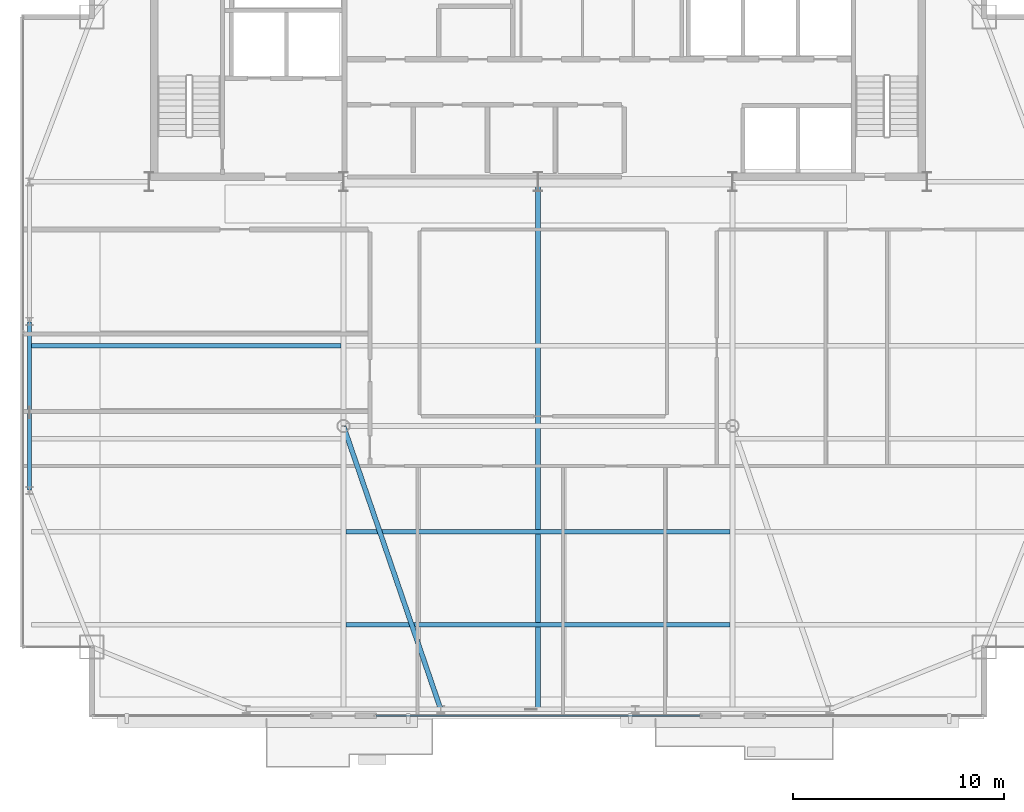
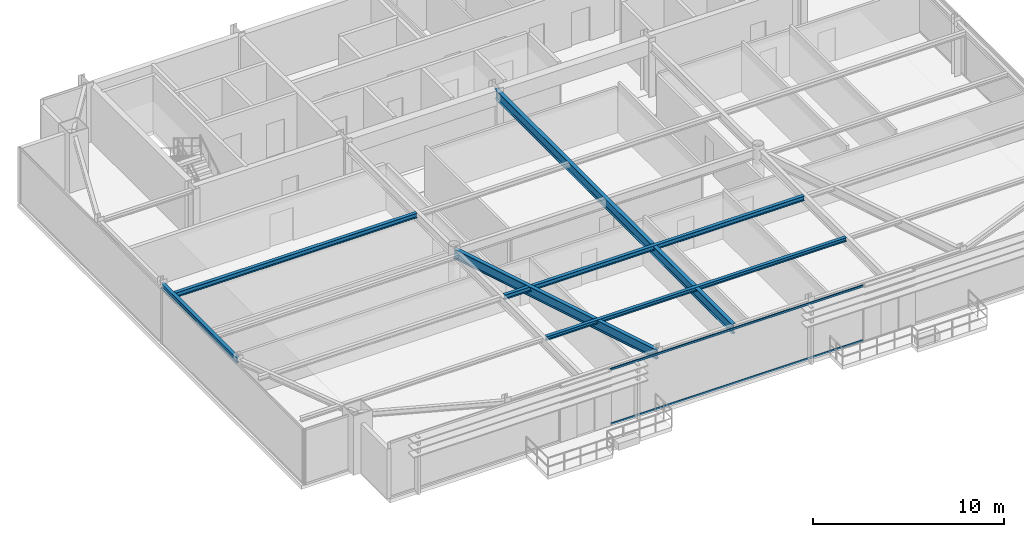
# One storey, part 9 of 30: 6 beams, 2 members, 1 element without a shape of its own.
"""IFC4 building model written with IfcOpenShell, lengths in metres."""

from ifc_helpers import new_model, si_unit, direction, frame, origin, origin_2d, place, context, subcontext, project, spatial, hollow_rectangle, i_section, extrude, source, transform, mapped, material, layer, layer_set, material_profile, profile_set, type_object, type_shapes, element, aggregate, save


model = new_model("IFC4")

# Units and contexts
model_context = context("Model", 3, precision=1e-05, world=origin(), true_north=direction((0.0, 1.0)))
body_context = subcontext(model_context, "Body", "Model", "MODEL_VIEW")
ifc_project = project(units=[si_unit("LENGTHUNIT", "METRE"), si_unit("AREAUNIT", "SQUARE_METRE"), si_unit("VOLUMEUNIT", "CUBIC_METRE"), si_unit("PLANEANGLEUNIT", "RADIAN"), si_unit("MASSUNIT", "GRAM", prefix="KILO")], contexts=[model_context])

# Site, building, storey
site_placement = place(None, origin())
site = spatial("IfcSite", under=ifc_project, at=site_placement, CompositionType="ELEMENT")
building_placement = place(site_placement, origin())
building = spatial("IfcBuilding", under=site, at=building_placement, Name="Varnel Quay Broadcast Tower", CompositionType="ELEMENT")
storey_placement = place(building_placement, frame((0.0, 0.0, 247.0)))
storey = spatial("IfcBuildingStorey", under=building, at=storey_placement, Name="L61", CompositionType="ELEMENT", Elevation=247.0)

# Beams
ifc_material_1 = material(Name="Structural Steel CSA G40.21 350W", Category="steel")
ifc_material_profile_1 = material_profile(ifc_material_1, i_section(OverallWidth=0.205078125, OverallDepth=0.35400390625, WebThickness=0.009521484375, FlangeThickness=0.016845703125, FilletRadius=0.012939453125, at=origin_2d()), Name="W360X79")
ifc_profile_set_1 = profile_set([ifc_material_profile_1], Name="Structural Steel CSA G40.21 350W")
beam_type_1 = type_object("IfcBeamType", Name="Beam_W360X79", PredefinedType="SPANDREL", material=ifc_profile_set_1)
shared_shape_1 = source(origin(), body_context, "Body", "SweptSolid", [
    extrude(i_section(OverallWidth=0.205078125, OverallDepth=0.35400390625, WebThickness=0.009521484375, FlangeThickness=0.016845703125, FilletRadius=0.012939453125, at=origin_2d()), origin(), (0.0, 0.0, 1.0), 7.9599609375),
])
type_shapes(beam_type_1, [shared_shape_1])
beam_1_placement = place(storey_placement, frame((9.949951171875, 21.02001953125, 3.373046875), z_axis=(0.0, 1.0, 0.0), x_axis=(-1.0, 0.0, 0.0)))
element("IfcBeam", 1, at=beam_1_placement, inside=storey, type_object=beam_type_1, Name="L61 West Spandrel TC-W1-TC-W2", PredefinedType="SPANDREL", context=body_context, shape_type="MappedRepresentation", body=[
    mapped(shared_shape_1, transform((0.0, 0.0, 0.0), x_axis=(1.0, 0.0, 0.0), y_axis=(0.0, 1.0, 0.0), z_axis=(0.0, 0.0, 1.0), scale=1.0)),
])
ifc_material_profile_2 = material_profile(ifc_material_1, i_section(OverallWidth=0.22998046875, OverallDepth=0.616943359375, WebThickness=0.01318359375, FlangeThickness=0.022216796875, FilletRadius=0.01611328125, at=origin_2d()), Name="W610X140")
ifc_profile_set_2 = profile_set([ifc_material_profile_2], Name="Structural Steel CSA G40.21 350W")
beam_type_2 = type_object("IfcBeamType", Name="Girder_W610X140", PredefinedType="BEAM", material=ifc_profile_set_2)
shared_shape_2 = source(origin(), body_context, "Body", "SweptSolid", [
    extrude(i_section(OverallWidth=0.22998046875, OverallDepth=0.616943359375, WebThickness=0.01318359375, FlangeThickness=0.022216796875, FilletRadius=0.01611328125, at=origin_2d()), origin(), (0.0, 0.0, 1.0), 14.12744140625),
])
beam_2_placement = place(storey_placement, frame((29.3935546875, 10.6689453125, 3.241455078125), z_axis=(-0.324696747868, 0.945818175932, 0.0), x_axis=(-0.945818175932, -0.324696747868, 0.0)))
element("IfcBeam", 2, at=beam_2_placement, inside=storey, type_object=beam_type_2, Name="L61 Primary Girder TC-S2-IC-01", PredefinedType="BEAM", context=body_context, shape_type="MappedRepresentation", body=[
    mapped(shared_shape_2, transform((0.0, 0.0, 0.0), x_axis=(1.0, 0.0, 0.0), y_axis=(0.0, 1.0, 0.0), z_axis=(0.0, 0.0, 1.0), scale=1.0)),
])
shared_shape_3 = source(origin(), body_context, "Body", "SweptSolid", [
    extrude(i_section(OverallWidth=0.22998046875, OverallDepth=0.616943359375, WebThickness=0.01318359375, FlangeThickness=0.022216796875, FilletRadius=0.01611328125, at=origin_2d()), origin(), (0.0, 0.0, 1.0), 24.91015625),
])
type_shapes(beam_type_2, [shared_shape_2, shared_shape_3])
beam_3_placement = place(storey_placement, frame((34.0, 10.669921875, 3.241455078125), z_axis=(0.0, 1.0, 0.0), x_axis=(-1.0, 0.0, 0.0)))
element("IfcBeam", 3, at=beam_3_placement, inside=storey, type_object=beam_type_2, Name="L61 Central Bay Girder", PredefinedType="BEAM", context=body_context, shape_type="MappedRepresentation", body=[
    mapped(shared_shape_3, transform((0.0, 0.0, 0.0), x_axis=(1.0, 0.0, 0.0), y_axis=(0.0, 1.0, 0.0), z_axis=(0.0, 0.0, 1.0), scale=1.0)),
])
ifc_material_profile_3 = material_profile(ifc_material_1, i_section(OverallWidth=0.201904296875, OverallDepth=0.2470703125, WebThickness=0.00732421875, FlangeThickness=0.010986328125, FilletRadius=0.010986328125, at=origin_2d()), Name="W250X49")
ifc_profile_set_3 = profile_set([ifc_material_profile_3], Name="Structural Steel CSA G40.21 350W")
beam_type_3 = type_object("IfcBeamType", Name="Beam_W250X49", PredefinedType="JOIST", material=ifc_profile_set_3)
shared_shape_4 = source(origin(), body_context, "Body", "SweptSolid", [
    extrude(i_section(OverallWidth=0.201904296875, OverallDepth=0.2470703125, WebThickness=0.00732421875, FlangeThickness=0.010986328125, FilletRadius=0.010986328125, at=origin_2d()), origin(), (0.0, 0.0, 1.0), 18.18017578125),
])
type_shapes(beam_type_3, [shared_shape_4])
beam_4_placement = place(storey_placement, frame((24.909912109375, 14.64990234375, 3.426513671875), z_axis=(1.0, 0.0, 0.0), x_axis=(0.0, 1.0, 0.0)))
element("IfcBeam", 4, at=beam_4_placement, inside=storey, type_object=beam_type_3, Name="L61 Central Floor Joist 1", PredefinedType="JOIST", context=body_context, shape_type="MappedRepresentation", body=[
    mapped(shared_shape_4, transform((0.0, 0.0, 0.0), x_axis=(1.0, 0.0, 0.0), y_axis=(0.0, 1.0, 0.0), z_axis=(0.0, 0.0, 1.0), scale=1.0)),
])
ifc_material_profile_4 = material_profile(ifc_material_1, i_section(OverallWidth=0.202880859375, OverallDepth=0.302978515625, WebThickness=0.007568359375, FlangeThickness=0.01318359375, FilletRadius=0.011962890625, at=origin_2d()), Name="W310X60")
ifc_profile_set_4 = profile_set([ifc_material_profile_4], Name="Structural Steel CSA G40.21 350W")
beam_type_4 = type_object("IfcBeamType", Name="Beam_W310X60", PredefinedType="JOIST", material=ifc_profile_set_4)
shared_shape_5 = source(origin(), body_context, "Body", "SweptSolid", [
    extrude(i_section(OverallWidth=0.202880859375, OverallDepth=0.302978515625, WebThickness=0.007568359375, FlangeThickness=0.01318359375, FilletRadius=0.011962890625, at=origin_2d()), origin(), (0.0, 0.0, 1.0), 14.642333984375),
])
beam_5_placement = place(storey_placement, frame((10.047607421875, 27.85009765625, 3.3984375), z_axis=(1.0, 0.0, 0.0), x_axis=(0.0, 1.0, 0.0)))
element("IfcBeam", 5, at=beam_5_placement, inside=storey, type_object=beam_type_4, Name="L61 West Floor Joist 4", PredefinedType="JOIST", context=body_context, shape_type="MappedRepresentation", body=[
    mapped(shared_shape_5, transform((0.0, 0.0, 0.0), x_axis=(1.0, 0.0, 0.0), y_axis=(0.0, 1.0, 0.0), z_axis=(0.0, 0.0, 1.0), scale=1.0)),
])
shared_shape_6 = source(origin(), body_context, "Body", "SweptSolid", [
    extrude(i_section(OverallWidth=0.202880859375, OverallDepth=0.302978515625, WebThickness=0.007568359375, FlangeThickness=0.01318359375, FilletRadius=0.011962890625, at=origin_2d()), origin(), (0.0, 0.0, 1.0), 18.18017578125),
])
type_shapes(beam_type_4, [shared_shape_5, shared_shape_6])
beam_6_placement = place(storey_placement, frame((24.909912109375, 19.050048828125, 3.3984375), z_axis=(1.0, 0.0, 0.0), x_axis=(0.0, 1.0, 0.0)))
element("IfcBeam", 6, at=beam_6_placement, inside=storey, type_object=beam_type_4, Name="L61 Central Floor Joist 2", PredefinedType="JOIST", context=body_context, shape_type="MappedRepresentation", body=[
    mapped(shared_shape_6, transform((0.0, 0.0, 0.0), x_axis=(1.0, 0.0, 0.0), y_axis=(0.0, 1.0, 0.0), z_axis=(0.0, 0.0, 1.0), scale=1.0)),
])

# Curtain wall, members
ifc_material_2 = material(Name="Anodised Bronze Aluminium 6063-T6", Category="aluminium")
ifc_layer = layer(ifc_material_2, 0.18994140625, Name="Anodised Bronze Aluminium 6063-T6")
ifc_layer_set = layer_set([ifc_layer], Name="Anodised Bronze Aluminium 6063-T6")
curtain_wall_type = type_object("IfcCurtainWallType", Name="CW_UpperTower", PredefinedType="NOTDEFINED", material=ifc_layer_set)
curtain_wall_placement = place(storey_placement, origin())
curtain_wall = element("IfcCurtainWall", 7, at=curtain_wall_placement, inside=storey, type_object=curtain_wall_type, Name="L61 South Unitised Curtain Wall 2", PredefinedType="NOTDEFINED")
ifc_material_profile_5 = material_profile(ifc_material_2, hollow_rectangle(XDim=0.06005859375, YDim=0.125, WallThickness=0.0029296875, at=origin_2d()), Name="ALU60X125X3")
ifc_profile_set_5 = profile_set([ifc_material_profile_5], Name="Anodised Bronze Aluminium 6063-T6")
member_type = type_object("IfcMemberType", Name="Tran_CWS-03", PredefinedType="USERDEFINED", material=ifc_profile_set_5)
shared_shape_7 = source(origin(), body_context, "Body", "SweptSolid", [
    extrude(hollow_rectangle(XDim=0.06005859375, YDim=0.125, WallThickness=0.0029296875, at=origin_2d()), origin(), (0.0, 0.0, 1.0), 15.31005859375),
])
type_shapes(member_type, [shared_shape_7])
member_1_placement = place(storey_placement, frame((26.344970703125, 10.35009765625, 0.030029296875), z_axis=(1.0, 0.0, 0.0), x_axis=(0.0, 1.0, 0.0)))
member_1 = element("IfcMember", 8, at=member_1_placement, type_object=member_type, Name="CWS-03 transom 1.1", ObjectType="TRANSOM", PredefinedType="USERDEFINED", context=body_context, shape_type="MappedRepresentation", body=[
    mapped(shared_shape_7, transform((0.0, 0.0, 0.0), x_axis=(1.0, 0.0, 0.0), y_axis=(0.0, 1.0, 0.0), z_axis=(0.0, 0.0, 1.0), scale=1.0)),
])
member_2_placement = place(storey_placement, frame((26.344970703125, 10.35009765625, 3.52001953125), z_axis=(1.0, 0.0, 0.0), x_axis=(0.0, 1.0, 0.0)))
member_2 = element("IfcMember", 9, at=member_2_placement, type_object=member_type, Name="CWS-03 transom 1.2", ObjectType="TRANSOM", PredefinedType="USERDEFINED", context=body_context, shape_type="MappedRepresentation", body=[
    mapped(shared_shape_7, transform((0.0, 0.0, 0.0), x_axis=(1.0, 0.0, 0.0), y_axis=(0.0, 1.0, 0.0), z_axis=(0.0, 0.0, 1.0), scale=1.0)),
])
aggregate(curtain_wall, [member_1, member_2])

save(model, "model.ifc")
